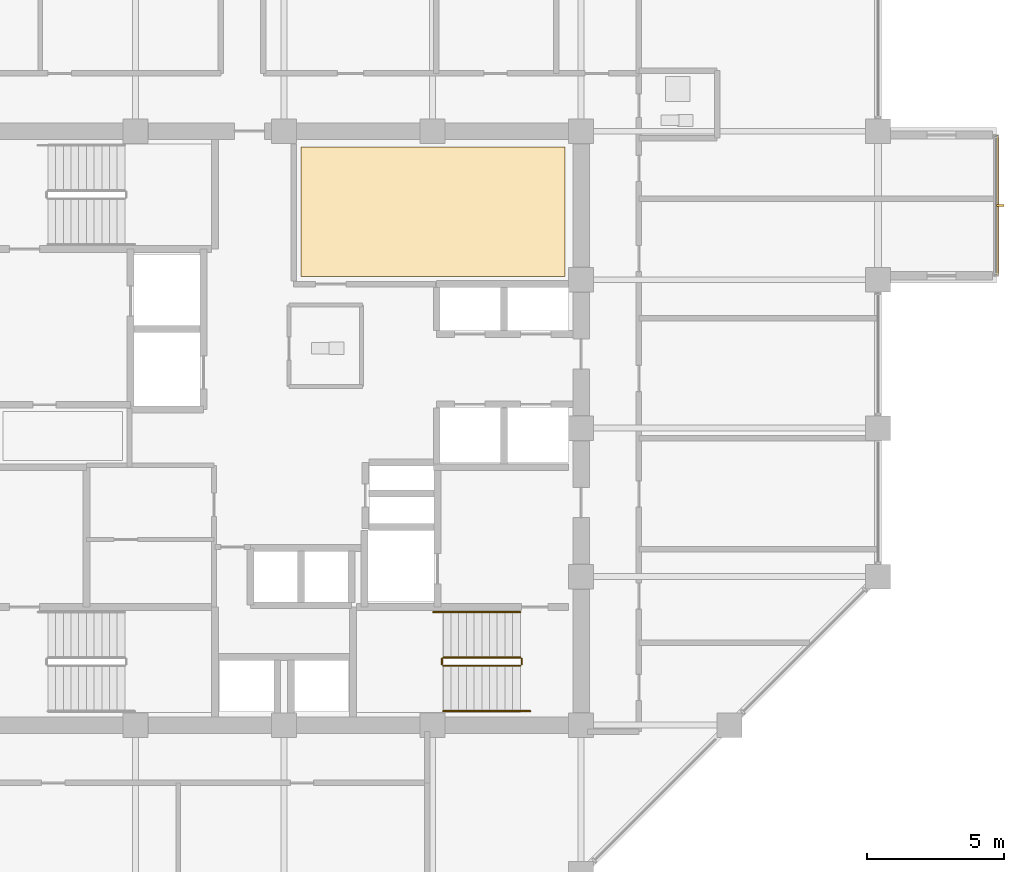
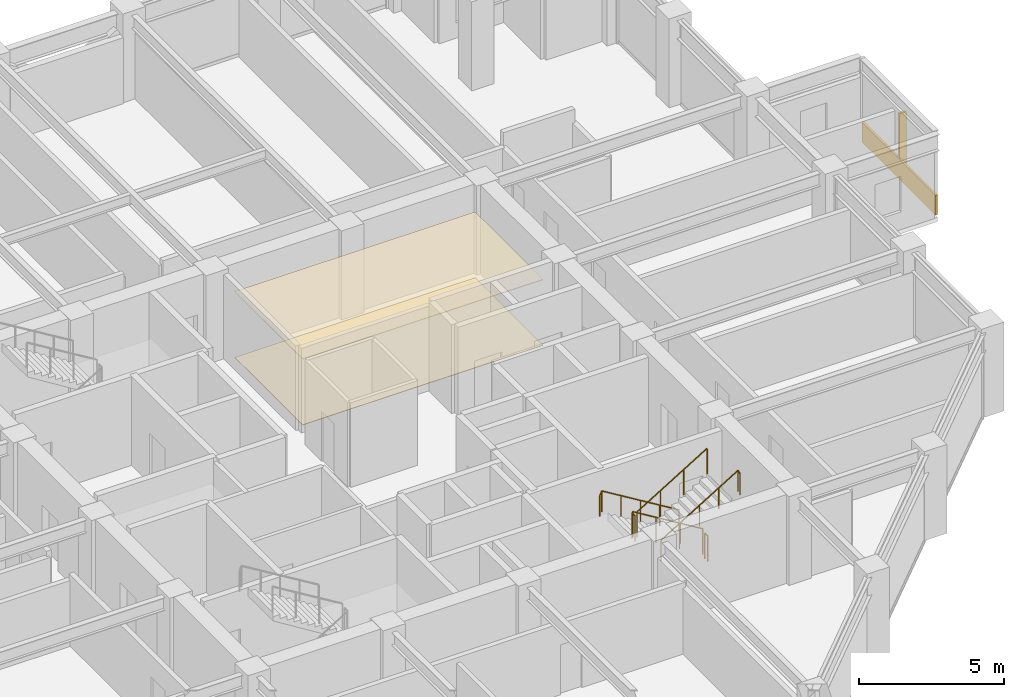
# One storey, part 27 of 28: 6 railings, 3 coverings, 1 shading device.
"""IFC4 building model written with IfcOpenShell, lengths in metres."""

from ifc_helpers import new_model, si_unit, direction, frame, origin, origin_2d, place, context, subcontext, project, spatial, polyline, rectangle, circle, outline, extrude, material, layer, layer_set, type_object, element, save


model = new_model("IFC4")

# Units and contexts
model_context = context("Model", 3, precision=1e-05, world=origin(), true_north=direction((0.0, 1.0)))
body_context = subcontext(model_context, "Body", "Model", "MODEL_VIEW")
ifc_project = project(units=[si_unit("LENGTHUNIT", "METRE"), si_unit("AREAUNIT", "SQUARE_METRE"), si_unit("VOLUMEUNIT", "CUBIC_METRE"), si_unit("PLANEANGLEUNIT", "RADIAN"), si_unit("MASSUNIT", "GRAM", prefix="KILO")], contexts=[model_context])

# Site, building, storey
site_placement = place(None, origin())
site = spatial("IfcSite", under=ifc_project, at=site_placement, CompositionType="ELEMENT")
building_placement = place(site_placement, origin())
building = spatial("IfcBuilding", under=site, at=building_placement, Name="Surkhivell Harbour Commons", CompositionType="ELEMENT")
storey_placement = place(building_placement, frame((0.0, 0.0, 178.5)))
storey = spatial("IfcBuildingStorey", under=building, at=storey_placement, Name="L46", CompositionType="ELEMENT", Elevation=178.5)

# Coverings
ifc_material_1 = material(Name="Moisture-resistant gypsum acoustic ceiling board", Category="other")
ifc_layer_1 = layer(ifc_material_1, 0.030029296875)
ifc_layer_set_1 = layer_set([ifc_layer_1], Name="Moisture-resistant gypsum acoustic ceiling board")
covering_type_1 = type_object("IfcCoveringType", Name="COV-CEIL-GYP", PredefinedType="CEILING", material=ifc_layer_set_1)
covering_1_placement = place(storey_placement, frame((0.0, 0.0, 2.77001953125)))
element("IfcCovering", 1, at=covering_1_placement, inside=storey, type_object=covering_type_1, Name="L46 Suspended Acoustic Ceiling 2", PredefinedType="CEILING", context=body_context, shape_type="SweptSolid", body=[
    extrude(outline(polyline([(0.6201171875, 5.52001953125), (10.219970703125, 5.52001953125), (10.219970703125, 10.219970703125), (0.6201171875, 10.219970703125), (0.6201171875, 5.52001953125)])), origin(), (0.0, 0.0, 1.0), 0.030029296875),
])
ifc_material_2 = material(Name="Cobalt-azure enamelled aluminium cassette panel", Category="aluminium")
ifc_layer_2 = layer(ifc_material_2, 0.072021484375)
ifc_layer_set_2 = layer_set([ifc_layer_2], Name="Cobalt-azure enamelled aluminium cassette panel")
covering_type_2 = type_object("IfcCoveringType", Name="COV-CLAD-COB", PredefinedType="CLADDING", material=ifc_layer_set_2)
covering_2_placement = place(storey_placement, frame((25.93994140625, 8.10009765625, 0.0), z_axis=(0.0, 0.0, 1.0), x_axis=(1.0, 0.0, 0.0)))
element("IfcCovering", 2, at=covering_2_placement, inside=storey, type_object=covering_type_2, Name="L46 Coloured-Panel Box Spandrel Cassette 01", PredefinedType="CLADDING", context=body_context, shape_type="SweptSolid", body=[
    extrude(rectangle(XDim=0.080078125, YDim=5.10009765625, at=origin_2d()), origin(), (0.0, 0.0, 1.0), 0.840087890625),
])
ifc_material_3 = material(Name="Engineered acoustic oak timber flooring", Category="wood")
ifc_layer_3 = layer(ifc_material_3, 0.02001953125)
ifc_layer_set_3 = layer_set([ifc_layer_3], Name="Engineered acoustic oak timber flooring")
covering_type_3 = type_object("IfcCoveringType", Name="COV-FLR-TIM", PredefinedType="FLOORING", material=ifc_layer_set_3)
covering_3_placement = place(storey_placement, origin())
element("IfcCovering", 3, at=covering_3_placement, inside=storey, type_object=covering_type_3, Name="L46 Interior Floor Finish 2", PredefinedType="FLOORING", context=body_context, shape_type="SweptSolid", body=[
    extrude(outline(polyline([(0.6201171875, 5.52001953125), (10.219970703125, 5.52001953125), (10.219970703125, 10.219970703125), (0.6201171875, 10.219970703125), (0.6201171875, 5.52001953125)])), origin(), (0.0, 0.0, 1.0), 0.02001953125),
])

# Railings
ifc_material_4 = material(Name="Galvanised and painted steel S355 guard rail", Category="steel")
railing_type_1 = type_object("IfcRailingType", Name="RAL-ST-GRD1100", PredefinedType="GUARDRAIL", material=ifc_material_4)
railing_1_placement = place(storey_placement, frame((8.590087890625, -8.340087890625, 0.17041015625)))
element("IfcRailing", 4, at=railing_1_placement, inside=storey, type_object=railing_type_1, Name="L46 ST2 stair guard 1", PredefinedType="GUARDRAIL", context=body_context, shape_type="SweptSolid", body=[
    extrude(circle(Radius=0.02392578125, at=origin_2d()), frame((0.0, 0.0, 1.076171875), z_axis=(-0.854169791009, 0.0, 0.51999420009), x_axis=(0.0, -1.0, 0.0)), (0.0, 0.0, 1.0), 3.278076171875),
    extrude(circle(Radius=0.02099609375, at=origin_2d()), origin(), (0.0, 0.0, 1.0), 1.052001953125),
    extrude(circle(Radius=0.02099609375, at=origin_2d()), frame((-0.933349609375, 0.0, 0.568115234375)), (0.0, 0.0, 1.0), 1.052001953125),
    extrude(circle(Radius=0.02099609375, at=origin_2d()), frame((-1.86669921875, 0.0, 1.136474609375)), (0.0, 0.0, 1.0), 1.052001953125),
    extrude(circle(Radius=0.02099609375, at=origin_2d()), frame((-2.800048828125, 0.0, 1.70458984375)), (0.0, 0.0, 1.0), 1.052001953125),
])
railing_2_placement = place(storey_placement, frame((5.739990234375, -8.389892578125, 1.875)))
element("IfcRailing", 5, at=railing_2_placement, inside=storey, type_object=railing_type_1, Name="L46 ST2 stair guard 2", PredefinedType="GUARDRAIL", context=body_context, shape_type="SweptSolid", body=[
    extrude(circle(Radius=0.02392578125, at=origin_2d()), frame((0.0, 0.0, 1.076171875), z_axis=(0.0, -1.0, 0.0), x_axis=(1.0, 0.0, 0.0)), (0.0, 0.0, 1.0), 0.2001953125),
    extrude(circle(Radius=0.02099609375, at=origin_2d()), origin(), (0.0, 0.0, 1.0), 1.052001953125),
    extrude(circle(Radius=0.02099609375, at=origin_2d()), frame((0.0, -0.2001953125, 0.0)), (0.0, 0.0, 1.0), 1.052001953125),
])
railing_3_placement = place(storey_placement, frame((5.7900390625, -8.639892578125, 2.04541015625)))
element("IfcRailing", 6, at=railing_3_placement, inside=storey, type_object=railing_type_1, Name="L46 ST2 stair guard 3", PredefinedType="GUARDRAIL", context=body_context, shape_type="SweptSolid", body=[
    extrude(circle(Radius=0.02392578125, at=origin_2d()), frame((0.0, 0.0, 1.076171875), z_axis=(0.854169791009, 0.0, 0.51999420009), x_axis=(0.0, 1.0, 0.0)), (0.0, 0.0, 1.0), 3.278076171875),
    extrude(circle(Radius=0.02099609375, at=origin_2d()), origin(), (0.0, 0.0, 1.0), 1.052001953125),
    extrude(circle(Radius=0.02099609375, at=origin_2d()), frame((0.933349609375, 0.0, 0.568115234375)), (0.0, 0.0, 1.0), 1.052001953125),
    extrude(circle(Radius=0.02099609375, at=origin_2d()), frame((1.86669921875, 0.0, 1.136474609375)), (0.0, 0.0, 1.0), 1.052001953125),
    extrude(circle(Radius=0.02099609375, at=origin_2d()), frame((2.800048828125, 0.0, 1.70458984375)), (0.0, 0.0, 1.0), 1.052001953125),
])
railing_4_placement = place(storey_placement, frame((8.639892578125, -8.389892578125, 0.0)))
element("IfcRailing", 7, at=railing_4_placement, inside=storey, type_object=railing_type_1, Name="L46 ST2 stair guard 4", PredefinedType="GUARDRAIL", context=body_context, shape_type="SweptSolid", body=[
    extrude(circle(Radius=0.02392578125, at=origin_2d()), frame((0.0, 0.0, 1.076171875), z_axis=(0.0, -1.0, 0.0), x_axis=(1.0, 0.0, 0.0)), (0.0, 0.0, 1.0), 0.2001953125),
    extrude(circle(Radius=0.02099609375, at=origin_2d()), origin(), (0.0, 0.0, 1.0), 1.052001953125),
    extrude(circle(Radius=0.02099609375, at=origin_2d()), frame((0.0, -0.2001953125, 0.0)), (0.0, 0.0, 1.0), 1.052001953125),
])
ifc_material_5 = material(Name="Brushed stainless steel S355 handrail", Category="steel")
railing_type_2 = type_object("IfcRailingType", Name="RAL-ST-HND900", PredefinedType="HANDRAIL", material=ifc_material_5)
railing_5_placement = place(storey_placement, frame((8.590087890625, -6.68994140625, 0.17041015625)))
element("IfcRailing", 8, at=railing_5_placement, inside=storey, type_object=railing_type_2, Name="L46 ST2 stair handrail 1", PredefinedType="HANDRAIL", context=body_context, shape_type="SweptSolid", body=[
    extrude(circle(Radius=0.02392578125, at=origin_2d()), frame((0.0, 0.0, 0.8759765625), z_axis=(-0.854177636135, 0.0, 0.519981313056), x_axis=(0.0, -1.0, 0.0)), (0.0, 0.0, 1.0), 3.60595703125),
    extrude(circle(Radius=0.02392578125, at=origin_2d()), frame((-3.080078125, 0.0, 2.7509765625), z_axis=(-0.425297416671, 0.0, -0.905053648892), x_axis=(0.0, -1.0, 0.0)), (0.0, 0.0, 1.0), 0.188232421875),
    extrude(circle(Radius=0.02099609375, at=origin_2d()), origin(), (0.0, 0.0, 1.0), 0.851806640625),
    extrude(circle(Radius=0.02099609375, at=origin_2d()), frame((-0.77001953125, 0.0, 0.46875)), (0.0, 0.0, 1.0), 0.851806640625),
    extrude(circle(Radius=0.02099609375, at=origin_2d()), frame((-1.5400390625, 0.0, 0.9375)), (0.0, 0.0, 1.0), 0.851806640625),
    extrude(circle(Radius=0.02099609375, at=origin_2d()), frame((-2.31005859375, 0.0, 1.40625)), (0.0, 0.0, 1.0), 0.851806640625),
    extrude(circle(Radius=0.02099609375, at=origin_2d()), frame((-3.080078125, 0.0, 1.875)), (0.0, 0.0, 1.0), 0.851806640625),
    extrude(circle(Radius=0.02099609375, at=origin_2d()), frame((-3.16015625, 0.0, 1.70458984375)), (0.0, 0.0, 1.0), 0.851806640625),
])
railing_6_placement = place(storey_placement, frame((5.7900390625, -10.2900390625, 2.04541015625)))
element("IfcRailing", 9, at=railing_6_placement, inside=storey, type_object=railing_type_2, Name="L46 ST2 stair handrail 2", PredefinedType="HANDRAIL", context=body_context, shape_type="SweptSolid", body=[
    extrude(circle(Radius=0.02392578125, at=origin_2d()), frame((0.0, 0.0, 0.8759765625), z_axis=(0.854177636135, 0.0, 0.519981313056), x_axis=(0.0, 1.0, 0.0)), (0.0, 0.0, 1.0), 3.60595703125),
    extrude(circle(Radius=0.02392578125, at=origin_2d()), frame((3.080078125, 0.0, 2.7509765625), z_axis=(0.424234432967, 0.0, -0.905552398199), x_axis=(0.0, 1.0, 0.0)), (0.0, 0.0, 1.0), 0.188232421875),
    extrude(circle(Radius=0.02099609375, at=origin_2d()), origin(), (0.0, 0.0, 1.0), 0.851806640625),
    extrude(circle(Radius=0.02099609375, at=origin_2d()), frame((0.77001953125, 0.0, 0.46875)), (0.0, 0.0, 1.0), 0.851806640625),
    extrude(circle(Radius=0.02099609375, at=origin_2d()), frame((1.5400390625, 0.0, 0.9375)), (0.0, 0.0, 1.0), 0.851806640625),
    extrude(circle(Radius=0.02099609375, at=origin_2d()), frame((2.31005859375, 0.0, 1.40625)), (0.0, 0.0, 1.0), 0.851806640625),
    extrude(circle(Radius=0.02099609375, at=origin_2d()), frame((3.080078125, 0.0, 1.875)), (0.0, 0.0, 1.0), 0.851806640625),
    extrude(circle(Radius=0.02099609375, at=origin_2d()), frame((3.159912109375, 0.0, 1.70458984375)), (0.0, 0.0, 1.0), 0.851806640625),
])

# Shading device
ifc_material_6 = material(Name="Champagne anodised aluminium solar fin", Category="aluminium")
shading_device_type = type_object("IfcShadingDeviceType", Name="SHD-FIN-SLIM", PredefinedType="USERDEFINED", material=ifc_material_6)
shading_device_placement = place(storey_placement, frame((26.0400390625, 8.10009765625, 0.0048828125), z_axis=(0.0, 0.0, 1.0), x_axis=(1.0, 0.0, 0.0)))
element("IfcShadingDevice", 10, at=shading_device_placement, inside=storey, type_object=shading_device_type, Name="L46 Coloured-Box Solar Fin 01", ObjectType="FIN", PredefinedType="USERDEFINED", context=body_context, shape_type="SweptSolid", body=[
    extrude(rectangle(XDim=0.280029296875, YDim=0.080078125, at=origin_2d()), origin(), (0.0, 0.0, 1.0), 2.75),
])

save(model, "model.ifc")
